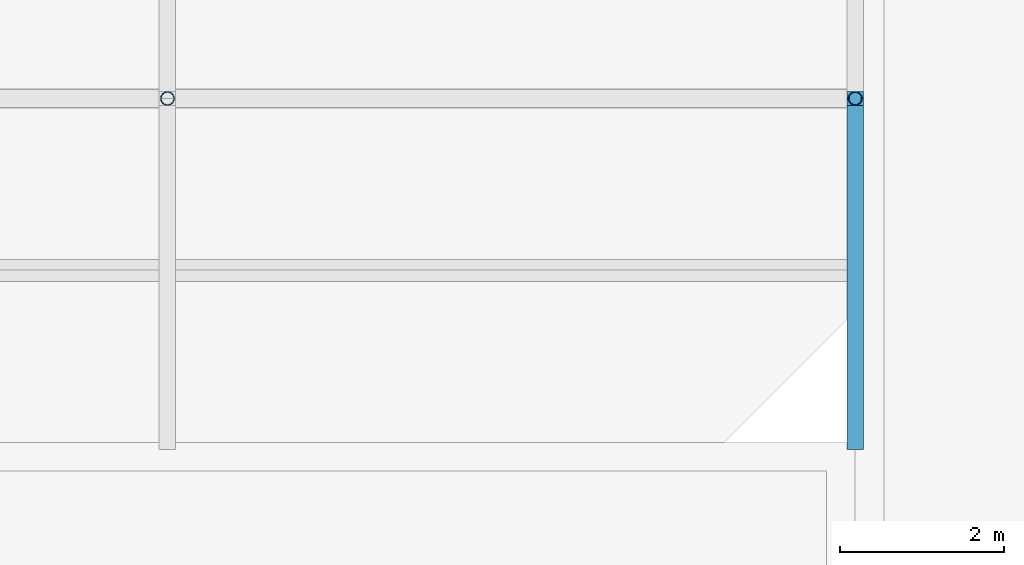
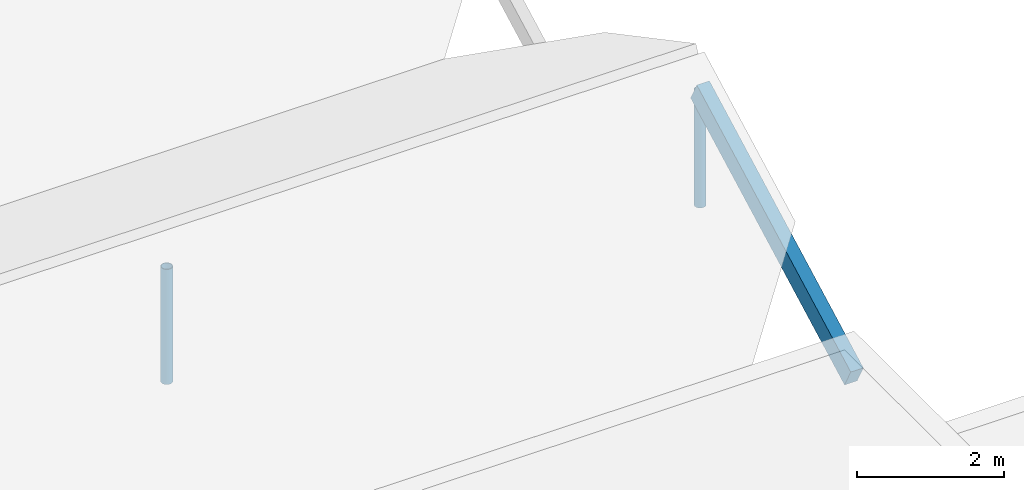
# One storey, part 55 of 82: 3 members.
"""IFC4 building model written with IfcOpenShell, lengths in metres."""

import ifcopenshell
import ifcopenshell.guid

model = None  # the IFC model being written
_history = None  # IfcOwnerHistory: only IFC2X3 demands one
_inside = {}  # id of a spatial element -> (the spatial element, [elements in it])
_under = {}  # id of a project, library or spatial element -> (it, [spatial elements below it])
_declared = {}  # id of a project -> (the project, [libraries it declares])
_typed = {}  # id of a type object -> (the type object, [elements of that type])
_made_of = {}  # id of a material, layer set ... -> (it, [elements and type objects made of it])


def new_model(schema):
    """Start an empty IFC model of exactly this schema.

    Asked for "IFC4X3", IfcOpenShell would pick the latest addendum, in which some entities
    have other attributes; the version numbers below select the first issue.
    IFC2X3 requires an IfcOwnerHistory on every rooted entity: one is made here for all.
    """
    global model, _history
    if schema == "IFC4X3":
        model = ifcopenshell.file(schema_version=(4, 3, 0, 0))
    else:
        model = ifcopenshell.file(schema=schema)
    _inside.clear()
    _under.clear()
    _declared.clear()
    _typed.clear()
    _made_of.clear()
    _history = None
    if model.schema == "IFC2X3":
        org = make("IfcOrganization", Name="unknown")
        user = make(
            "IfcPersonAndOrganization",
            ThePerson=make("IfcPerson", FamilyName="unknown"),
            TheOrganization=org,
        )
        app = make(
            "IfcApplication",
            ApplicationDeveloper=org,
            Version="unknown",
            ApplicationFullName="unknown",
            ApplicationIdentifier="unknown",
        )
        _history = make(
            "IfcOwnerHistory",
            OwningUser=user,
            OwningApplication=app,
            ChangeAction="ADDED",
            CreationDate=0,
        )
    return model


def make(cls, **values):
    """One entity of the class cls with the attributes given. An attribute that is None is left unset."""
    return model.create_entity(
        cls, **{name: value for name, value in values.items() if value is not None}
    )


def rooted(cls, **values):
    """An entity with a GlobalId (a new one), such as an element, a storey or a relation."""
    return make(cls, GlobalId=ifcopenshell.guid.new(), OwnerHistory=_history, **values)


def si_unit(unit_type, name, prefix=None):
    """IfcSIUnit, for example si_unit("LENGTHUNIT", "METRE", prefix="MILLI")."""
    return make("IfcSIUnit", UnitType=unit_type, Prefix=prefix, Name=name)


def assignment(units):
    """IfcUnitAssignment: the units of a project."""
    return None if units is None else make("IfcUnitAssignment", Units=units)


def point(xyz):
    """IfcCartesianPoint."""
    return None if xyz is None else make("IfcCartesianPoint", Coordinates=xyz)


def direction(xyz):
    """IfcDirection."""
    return None if xyz is None else make("IfcDirection", DirectionRatios=xyz)


def frame(location, z_axis=None, x_axis=None):
    """IfcAxis2Placement3D, a coordinate frame: its origin and axes. An axis left out is left unset."""
    return make(
        "IfcAxis2Placement3D",
        Location=point(location),
        Axis=direction(z_axis),
        RefDirection=direction(x_axis),
    )


def frame_2d(location, x_axis=None):
    """IfcAxis2Placement2D, a coordinate frame in the plane: its origin and x axis."""
    return make(
        "IfcAxis2Placement2D", Location=point(location), RefDirection=direction(x_axis)
    )


def origin():
    """The frame at (0, 0, 0) with its axes left unset."""
    return frame((0.0, 0.0, 0.0))


def origin_2d():
    """The frame at (0, 0) in the plane with its x axis left unset."""
    return frame_2d((0.0, 0.0))


def place(relative_to, where):
    """IfcLocalPlacement: puts the frame where relative to a parent placement (None: the world)."""
    return make(
        "IfcLocalPlacement", PlacementRelTo=relative_to, RelativePlacement=where
    )


def context(
    kind, dimensions, precision=None, world=None, true_north=None, identifier=None
):
    """IfcGeometricRepresentationContext, for example the 3D "Model" context."""
    return make(
        "IfcGeometricRepresentationContext",
        ContextIdentifier=identifier,
        ContextType=kind,
        CoordinateSpaceDimension=dimensions,
        Precision=precision,
        WorldCoordinateSystem=world,
        TrueNorth=true_north,
    )


def subcontext(parent, identifier, kind, view, scale=None):
    """IfcGeometricRepresentationSubContext, for example "Body" below "Model"."""
    return make(
        "IfcGeometricRepresentationSubContext",
        ContextIdentifier=identifier,
        ContextType=kind,
        ParentContext=parent,
        TargetScale=scale,
        TargetView=view,
    )


def project(units=None, contexts=None):
    """IfcProject with its units and contexts."""
    return rooted(
        "IfcProject",
        Name="project",
        RepresentationContexts=contexts,
        UnitsInContext=assignment(units),
    )


def spatial(cls, under=None, at=None, **own):
    """A site, building, storey or space (cls), placed at a placement, below another one or the project."""
    s = rooted(cls, ObjectPlacement=at, **own)
    if under is not None:
        _under.setdefault(under.id(), (under, []))[1].append(s)
    return s


def profile(cls, at=None, kind="AREA", **sizes):
    """A parametric profile (cls). Its sizes go by their IFC names, for example OverallWidth=200.0."""
    return make(cls, ProfileType=kind, Position=at, **sizes)


def rectangle(**sizes):
    """IfcRectangleProfileDef."""
    return profile("IfcRectangleProfileDef", **sizes)


def hollow_circle(**sizes):
    """IfcCircleHollowProfileDef."""
    return profile("IfcCircleHollowProfileDef", **sizes)


def extrude(swept, where, along, depth):
    """IfcExtrudedAreaSolid: the profile swept, set in the frame where, extruded along a direction by depth."""
    return make(
        "IfcExtrudedAreaSolid",
        SweptArea=swept,
        Position=where,
        ExtrudedDirection=direction(along),
        Depth=depth,
    )


def shape(context_of_items, identifier, shape_type, items):
    """IfcShapeRepresentation: the items that make up one representation, for example the "Body"."""
    return make(
        "IfcShapeRepresentation",
        ContextOfItems=context_of_items,
        RepresentationIdentifier=identifier,
        RepresentationType=shape_type,
        Items=items,
    )


def material(Name=None, Category=None):
    """IfcMaterial."""
    return make("IfcMaterial", Name=Name, Category=Category)


def material_profile(
    of_material, cross_section, Name=None, Category=None, Priority=None
):
    """IfcMaterialProfile: a cross section and its material."""
    return make(
        "IfcMaterialProfile",
        Name=Name,
        Material=of_material,
        Profile=cross_section,
        Priority=Priority,
        Category=Category,
    )


def profile_set(profiles, Name=None, composite=None):
    """IfcMaterialProfileSet."""
    return make(
        "IfcMaterialProfileSet",
        Name=Name,
        MaterialProfiles=profiles,
        CompositeProfile=composite,
    )


def made_of(thing, what):
    """Note that an element or type object is made of a material, layer set ...; save() writes the relation."""
    if what is not None:
        _made_of.setdefault(what.id(), (what, []))[1].append(thing)
    return thing


def type_object(cls, material=None, **own):
    """A type object (cls), such as IfcWallType, which elements share."""
    return made_of(rooted(cls, **own), material)


def element(
    cls,
    number,
    at=None,
    inside=None,
    cuts=None,
    type_object=None,
    material=None,
    context=None,
    identifier="Body",
    shape_type=None,
    held_by="IfcProductDefinitionShape",
    body=None,
    shapes=None,
    **own,
):
    """One element of the class cls, such as IfcWall. Its Tag is "e" and its number.

    at: its placement. inside: the storey or other place that contains it. cuts: it is an
    opening in that element (IfcRelVoidsElement). A single representation is given by context,
    identifier, shape_type and body (its items); several are given by shapes. held_by: the class
    of the entity that holds the representations. save() writes the other relations.
    """
    e = rooted(cls, Tag="e%d" % number, ObjectPlacement=at, **own)
    if body is not None:
        shapes = [shape(context, identifier, shape_type, body)]
    if shapes is not None:
        e.Representation = make(held_by, Representations=shapes)
    if inside is not None:
        _inside.setdefault(inside.id(), (inside, []))[1].append(e)
    if cuts is not None:
        rooted(
            "IfcRelVoidsElement", RelatingBuildingElement=cuts, RelatedOpeningElement=e
        )
    if type_object is not None:
        _typed.setdefault(type_object.id(), (type_object, []))[1].append(e)
    return made_of(e, material)


def aggregate(whole, parts):
    """IfcRelAggregates: a whole, such as a stair, and the parts it consists of."""
    return rooted("IfcRelAggregates", RelatingObject=whole, RelatedObjects=parts)


def save(model, path):
    """Write the relations noted so far, then the file.

    IfcRelAggregates (storeys below a building ...), IfcRelContainedInSpatialStructure (elements
    in a storey), IfcRelDefinesByType, IfcRelAssociatesMaterial and IfcRelDeclares: one each for
    every whole, place, type object, material and project.
    """
    for whole, parts in _under.values():
        aggregate(whole, parts)
    for where, things in _inside.values():
        rooted(
            "IfcRelContainedInSpatialStructure",
            RelatedElements=things,
            RelatingStructure=where,
        )
    for kind, things in _typed.values():
        rooted("IfcRelDefinesByType", RelatedObjects=things, RelatingType=kind)
    for what, things in _made_of.values():
        rooted("IfcRelAssociatesMaterial", RelatedObjects=things, RelatingMaterial=what)
    for by, libraries in _declared.values():
        rooted("IfcRelDeclares", RelatingContext=by, RelatedDefinitions=libraries)
    model.write(path)


model = new_model("IFC4")

# Units and contexts
model_context = context("Model", 3, precision=1e-05, world=origin(), true_north=direction((0.0, 1.0)))
body_context = subcontext(model_context, "Body", "Model", "MODEL_VIEW")
ifc_project = project(units=[si_unit("LENGTHUNIT", "METRE"), si_unit("AREAUNIT", "SQUARE_METRE"), si_unit("VOLUMEUNIT", "CUBIC_METRE"), si_unit("PLANEANGLEUNIT", "RADIAN"), si_unit("MASSUNIT", "GRAM", prefix="KILO")], contexts=[model_context])

# Site, building, storey
site_placement = place(None, origin())
site = spatial("IfcSite", under=ifc_project, at=site_placement, CompositionType="ELEMENT")
building_placement = place(site_placement, origin())
building = spatial("IfcBuilding", under=site, at=building_placement, Name="Bramfleet General Hospital", CompositionType="ELEMENT")
storey_placement = place(building_placement, frame((0.0, 0.0, 34.199951171875)))
storey = spatial("IfcBuildingStorey", under=building, at=storey_placement, Name="Roof", CompositionType="ELEMENT", Elevation=34.199951171875)

# Members
ifc_material_1 = material(Name="Structural timber GL28h", Category="wood")
ifc_material_profile_1 = material_profile(ifc_material_1, rectangle(XDim=0.199951171875, YDim=0.360107421875, at=origin_2d()), Name="GL28h 360x200")
ifc_profile_set_1 = profile_set([ifc_material_profile_1], Name="Structural timber GL28h")
member_type_1 = type_object("IfcMemberType", Name="MEM-RF-GL360", PredefinedType="RAFTER", material=ifc_profile_set_1)
member_placement = place(storey_placement, frame((117.60009765625, 75.60009765625, -0.75634765625), z_axis=(0.0, 0.882947536541, 0.469471668705), x_axis=(-1.0, 0.0, 0.0)))
element("IfcMember", 1, at=member_placement, inside=storey, type_object=member_type_1, Name="Patient House PH-13 South Glulam Rafter 3", PredefinedType="RAFTER", context=body_context, shape_type="SweptSolid", body=[
    extrude(rectangle(XDim=0.199951171875, YDim=0.360107421875, at=origin_2d()), origin(), (0.0, 0.0, 1.0), 4.7568359375),
])
ifc_material_2 = material(Name="Steel S355", Category="steel")
ifc_material_profile_2 = material_profile(ifc_material_2, hollow_circle(Radius=0.084228515625, WallThickness=0.008056640625, at=origin_2d()), Name="CHS 168.3x8.0")
ifc_profile_set_2 = profile_set([ifc_material_profile_2], Name="Steel S355")
member_type_2 = type_object("IfcMemberType", Name="MEM-SF-DG1", PredefinedType="STRUT", material=ifc_profile_set_2)
for number, where, z_axis, x_axis, name in (
    (2, (109.199951171875, 79.800048828125, -0.43994140625), (0.0, 0.0, 1.0), (1.0, 0.0, 0.0), "Patient House PH-13 Ridge Timber Post 2"),
    (3, (117.60009765625, 79.800048828125, -0.43994140625), (0.0, 0.0, 1.0), (1.0, 0.0, 0.0), "Patient House PH-13 Ridge Timber Post 3"),
):
    element("IfcMember", number, at=place(storey_placement, frame(where, z_axis=z_axis, x_axis=x_axis)), inside=storey, type_object=member_type_2, Name=name, PredefinedType="STRUT", context=body_context, shape_type="SweptSolid", body=[
        extrude(hollow_circle(Radius=0.084228515625, WallThickness=0.008056640625, at=origin_2d()), origin(), (0.0, 0.0, 1.0), 1.916748046875),
    ])

save(model, "model.ifc")
